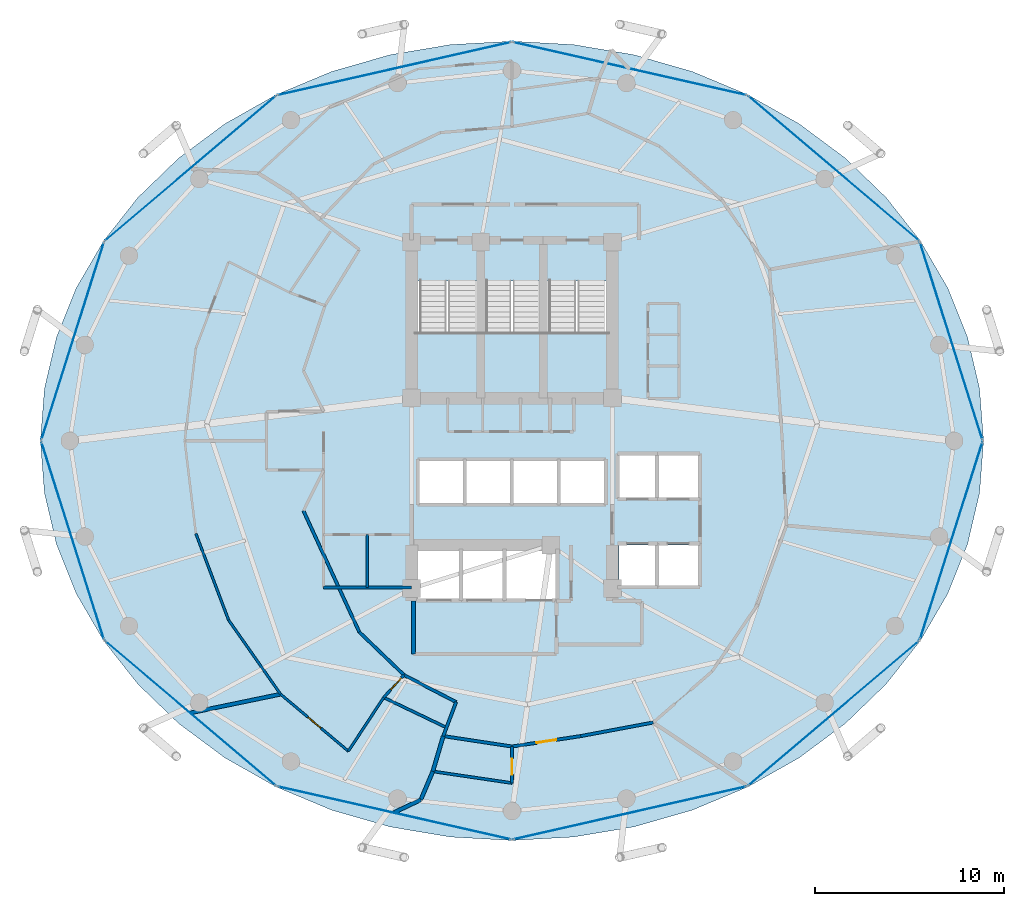
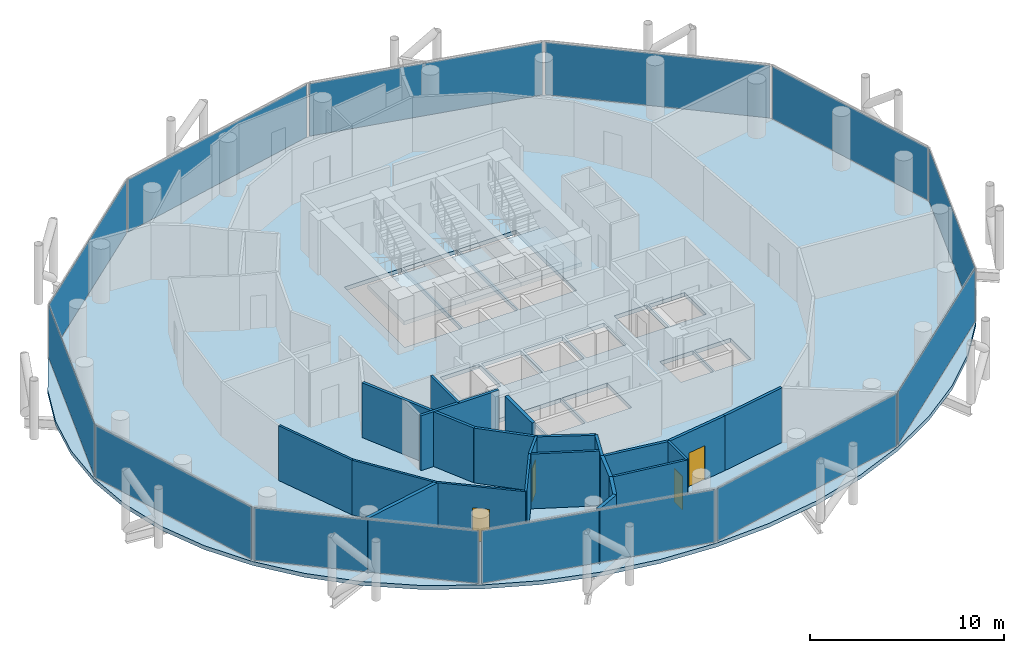
# One storey, part 21 of 26: 22 walls, 12 plates, 4 doors, 4 slabs, 4 openings, 15 elements without a shape of their own.
"""IFC4 building model written with IfcOpenShell, lengths in metres."""

from ifc_helpers import new_model, si_unit, direction, frame, frame_2d, origin, origin_2d, place, context, subcontext, project, spatial, polyline, rectangle, outline, extrude, material, layer, layer_set, type_object, element, fill, aggregate, save


model = new_model("IFC4")

# Units and contexts
model_context = context("Model", 3, precision=1e-05, world=origin(), true_north=direction((0.0, 1.0)))
body_context = subcontext(model_context, "Body", "Model", "MODEL_VIEW")
ifc_project = project(units=[si_unit("LENGTHUNIT", "METRE"), si_unit("AREAUNIT", "SQUARE_METRE"), si_unit("VOLUMEUNIT", "CUBIC_METRE"), si_unit("PLANEANGLEUNIT", "RADIAN"), si_unit("MASSUNIT", "GRAM", prefix="KILO")], contexts=[model_context])

# Site, building, storey
site_placement = place(None, origin())
site = spatial("IfcSite", under=ifc_project, at=site_placement, CompositionType="ELEMENT")
building_placement = place(site_placement, origin())
building = spatial("IfcBuilding", under=site, at=building_placement, Name="Nuhasar Tower", CompositionType="ELEMENT")
storey_placement = place(building_placement, frame((0.0, 0.0, 170.050048828125)))
storey = spatial("IfcBuildingStorey", under=building, at=storey_placement, Name="L41", CompositionType="ELEMENT", Elevation=170.050048828125)

# Curtain wall, plate
ifc_material_1 = material(Name="Aluminium 6063-T6", Category="aluminium")
ifc_layer_1 = layer(ifc_material_1, 0.199951171875)
ifc_layer_set_1 = layer_set([ifc_layer_1], Name="Aluminium 6063-T6")
curtain_wall_type = type_object("IfcCurtainWallType", Name="CW-Z2-HTL", PredefinedType="NOTDEFINED", material=ifc_layer_set_1)
curtain_wall_1_placement = place(storey_placement, origin())
curtain_wall_1 = element("IfcCurtainWall", 1, at=curtain_wall_1_placement, inside=storey, type_object=curtain_wall_type, Name="L41 Unitised Curtain Wall 01", PredefinedType="NOTDEFINED")
ifc_material_2 = material(Name="Glass Double Low-E", Category="glass")
ifc_layer_2 = layer(ifc_material_2, 0.028076171875)
ifc_layer_set_2 = layer_set([ifc_layer_2], Name="Glass Double Low-E")
plate_type = type_object("IfcPlateType", Name="CW-PANEL-GLZ", PredefinedType="CURTAIN_PANEL", material=ifc_layer_set_2)
plate_1_placement = place(storey_placement, frame((62.194580078125, 32.06494140625, 0.06982421875), z_axis=(0.0, 0.0, 1.0), x_axis=(-0.301603667577, 0.953433389233, 0.0)))
plate_1 = element("IfcPlate", 2, at=plate_1_placement, type_object=plate_type, Name="CW-Z2 panel 1.1", PredefinedType="CURTAIN_PANEL", context=body_context, shape_type="SweptSolid", body=[
    extrude(rectangle(XDim=10.904296875, YDim=0.028076171875, at=origin_2d()), origin(), (0.0, 0.0, 1.0), 3.31005859375),
])
aggregate(curtain_wall_1, [plate_1])

curtain_wall_2_placement = place(storey_placement, origin())
curtain_wall_2 = element("IfcCurtainWall", 3, at=curtain_wall_2_placement, inside=storey, type_object=curtain_wall_type, Name="L41 Unitised Curtain Wall 02", PredefinedType="NOTDEFINED")
plate_2_placement = place(storey_placement, frame((55.9794921875, 41.18408203125, 0.06982421875), z_axis=(0.0, 0.0, 1.0), x_axis=(-0.763020370292, 0.646374438324, 0.0)))
plate_2 = element("IfcPlate", 4, at=plate_2_placement, type_object=plate_type, Name="CW-Z2 panel 1.1", PredefinedType="CURTAIN_PANEL", context=body_context, shape_type="SweptSolid", body=[
    extrude(rectangle(XDim=11.784912109375, YDim=0.028076171875, at=origin_2d()), origin(), (0.0, 0.0, 1.0), 3.31005859375),
])
aggregate(curtain_wall_2, [plate_2])

curtain_wall_3_placement = place(storey_placement, origin())
curtain_wall_3 = element("IfcCurtainWall", 5, at=curtain_wall_3_placement, inside=storey, type_object=curtain_wall_type, Name="L41 Unitised Curtain Wall 03", PredefinedType="NOTDEFINED")
plate_3_placement = place(storey_placement, frame((45.215087890625, 46.448974609375, 0.06982421875), z_axis=(0.0, 0.0, 1.0), x_axis=(-0.975183694221, 0.22139729566, 0.0)))
plate_3 = element("IfcPlate", 6, at=plate_3_placement, type_object=plate_type, Name="CW-Z2 panel 1.1", PredefinedType="CURTAIN_PANEL", context=body_context, shape_type="SweptSolid", body=[
    extrude(rectangle(XDim=12.606201171875, YDim=0.028076171875, at=origin_2d()), origin(), (0.0, 0.0, 1.0), 3.31005859375),
])
aggregate(curtain_wall_3, [plate_3])

curtain_wall_4_placement = place(storey_placement, origin())
curtain_wall_4 = element("IfcCurtainWall", 7, at=curtain_wall_4_placement, inside=storey, type_object=curtain_wall_type, Name="L41 Unitised Curtain Wall 04", PredefinedType="NOTDEFINED")
plate_4_placement = place(storey_placement, frame((32.784912109375, 46.448974609375, 0.06982421875), z_axis=(0.0, 0.0, 1.0), x_axis=(-0.975183694221, -0.22139729566, 0.0)))
plate_4 = element("IfcPlate", 8, at=plate_4_placement, type_object=plate_type, Name="CW-Z2 panel 1.1", PredefinedType="CURTAIN_PANEL", context=body_context, shape_type="SweptSolid", body=[
    extrude(rectangle(XDim=12.606201171875, YDim=0.028076171875, at=origin_2d()), origin(), (0.0, 0.0, 1.0), 3.31005859375),
])
aggregate(curtain_wall_4, [plate_4])

curtain_wall_5_placement = place(storey_placement, origin())
curtain_wall_5 = element("IfcCurtainWall", 9, at=curtain_wall_5_placement, inside=storey, type_object=curtain_wall_type, Name="L41 Unitised Curtain Wall 05", PredefinedType="NOTDEFINED")
plate_5_placement = place(storey_placement, frame((22.0205078125, 41.18408203125, 0.06982421875), z_axis=(0.0, 0.0, 1.0), x_axis=(-0.763020370292, -0.646374438324, 0.0)))
plate_5 = element("IfcPlate", 10, at=plate_5_placement, type_object=plate_type, Name="CW-Z2 panel 1.1", PredefinedType="CURTAIN_PANEL", context=body_context, shape_type="SweptSolid", body=[
    extrude(rectangle(XDim=11.784912109375, YDim=0.028076171875, at=origin_2d()), origin(), (0.0, 0.0, 1.0), 3.31005859375),
])
aggregate(curtain_wall_5, [plate_5])

curtain_wall_6_placement = place(storey_placement, origin())
curtain_wall_6 = element("IfcCurtainWall", 11, at=curtain_wall_6_placement, inside=storey, type_object=curtain_wall_type, Name="L41 Unitised Curtain Wall 06", PredefinedType="NOTDEFINED")
plate_6_placement = place(storey_placement, frame((15.805419921875, 32.06494140625, 0.06982421875), z_axis=(0.0, 0.0, 1.0), x_axis=(-0.301603667577, -0.953433389233, 0.0)))
plate_6 = element("IfcPlate", 12, at=plate_6_placement, type_object=plate_type, Name="CW-Z2 panel 1.1", PredefinedType="CURTAIN_PANEL", context=body_context, shape_type="SweptSolid", body=[
    extrude(rectangle(XDim=10.904296875, YDim=0.028076171875, at=origin_2d()), origin(), (0.0, 0.0, 1.0), 3.31005859375),
])
aggregate(curtain_wall_6, [plate_6])

curtain_wall_7_placement = place(storey_placement, origin())
curtain_wall_7 = element("IfcCurtainWall", 13, at=curtain_wall_7_placement, inside=storey, type_object=curtain_wall_type, Name="L41 Unitised Curtain Wall 07", PredefinedType="NOTDEFINED")
plate_7_placement = place(storey_placement, frame((15.805419921875, 21.534912109375, 0.06982421875), z_axis=(0.0, 0.0, 1.0), x_axis=(0.301603667577, -0.953433389233, 0.0)))
plate_7 = element("IfcPlate", 14, at=plate_7_placement, type_object=plate_type, Name="CW-Z2 panel 1.1", PredefinedType="CURTAIN_PANEL", context=body_context, shape_type="SweptSolid", body=[
    extrude(rectangle(XDim=10.904296875, YDim=0.028076171875, at=origin_2d()), origin(), (0.0, 0.0, 1.0), 3.31005859375),
])
aggregate(curtain_wall_7, [plate_7])

curtain_wall_8_placement = place(storey_placement, origin())
curtain_wall_8 = element("IfcCurtainWall", 15, at=curtain_wall_8_placement, inside=storey, type_object=curtain_wall_type, Name="L41 Unitised Curtain Wall 08", PredefinedType="NOTDEFINED")
plate_8_placement = place(storey_placement, frame((22.0205078125, 12.416015625, 0.06982421875), z_axis=(0.0, 0.0, 1.0), x_axis=(0.763020370292, -0.646374438324, 0.0)))
plate_8 = element("IfcPlate", 16, at=plate_8_placement, type_object=plate_type, Name="CW-Z2 panel 1.1", PredefinedType="CURTAIN_PANEL", context=body_context, shape_type="SweptSolid", body=[
    extrude(rectangle(XDim=11.784912109375, YDim=0.028076171875, at=origin_2d()), origin(), (0.0, 0.0, 1.0), 3.31005859375),
])
aggregate(curtain_wall_8, [plate_8])

curtain_wall_9_placement = place(storey_placement, origin())
curtain_wall_9 = element("IfcCurtainWall", 17, at=curtain_wall_9_placement, inside=storey, type_object=curtain_wall_type, Name="L41 Unitised Curtain Wall 09", PredefinedType="NOTDEFINED")
plate_9_placement = place(storey_placement, frame((32.784912109375, 7.15087890625, 0.06982421875), z_axis=(0.0, 0.0, 1.0), x_axis=(0.975183694221, -0.22139729566, 0.0)))
plate_9 = element("IfcPlate", 18, at=plate_9_placement, type_object=plate_type, Name="CW-Z2 panel 1.1", PredefinedType="CURTAIN_PANEL", context=body_context, shape_type="SweptSolid", body=[
    extrude(rectangle(XDim=12.606201171875, YDim=0.028076171875, at=origin_2d()), origin(), (0.0, 0.0, 1.0), 3.31005859375),
])
aggregate(curtain_wall_9, [plate_9])

curtain_wall_10_placement = place(storey_placement, origin())
curtain_wall_10 = element("IfcCurtainWall", 19, at=curtain_wall_10_placement, inside=storey, type_object=curtain_wall_type, Name="L41 Unitised Curtain Wall 10", PredefinedType="NOTDEFINED")
plate_10_placement = place(storey_placement, frame((45.215087890625, 7.15087890625, 0.06982421875), z_axis=(0.0, 0.0, 1.0), x_axis=(0.975183694221, 0.22139729566, 0.0)))
plate_10 = element("IfcPlate", 20, at=plate_10_placement, type_object=plate_type, Name="CW-Z2 panel 1.1", PredefinedType="CURTAIN_PANEL", context=body_context, shape_type="SweptSolid", body=[
    extrude(rectangle(XDim=12.606201171875, YDim=0.028076171875, at=origin_2d()), origin(), (0.0, 0.0, 1.0), 3.31005859375),
])
aggregate(curtain_wall_10, [plate_10])

curtain_wall_11_placement = place(storey_placement, origin())
curtain_wall_11 = element("IfcCurtainWall", 21, at=curtain_wall_11_placement, inside=storey, type_object=curtain_wall_type, Name="L41 Unitised Curtain Wall 11", PredefinedType="NOTDEFINED")
plate_11_placement = place(storey_placement, frame((55.9794921875, 12.416015625, 0.06982421875), z_axis=(0.0, 0.0, 1.0), x_axis=(0.763020370292, 0.646374438324, 0.0)))
plate_11 = element("IfcPlate", 22, at=plate_11_placement, type_object=plate_type, Name="CW-Z2 panel 1.1", PredefinedType="CURTAIN_PANEL", context=body_context, shape_type="SweptSolid", body=[
    extrude(rectangle(XDim=11.784912109375, YDim=0.028076171875, at=origin_2d()), origin(), (0.0, 0.0, 1.0), 3.31005859375),
])
aggregate(curtain_wall_11, [plate_11])

curtain_wall_12_placement = place(storey_placement, origin())
curtain_wall_12 = element("IfcCurtainWall", 23, at=curtain_wall_12_placement, inside=storey, type_object=curtain_wall_type, Name="L41 Unitised Curtain Wall 12", PredefinedType="NOTDEFINED")
plate_12_placement = place(storey_placement, frame((62.194580078125, 21.534912109375, 0.06982421875), z_axis=(0.0, 0.0, 1.0), x_axis=(0.301603667577, 0.953433389233, 0.0)))
plate_12 = element("IfcPlate", 24, at=plate_12_placement, type_object=plate_type, Name="CW-Z2 panel 1.1", PredefinedType="CURTAIN_PANEL", context=body_context, shape_type="SweptSolid", body=[
    extrude(rectangle(XDim=10.904296875, YDim=0.028076171875, at=origin_2d()), origin(), (0.0, 0.0, 1.0), 3.31005859375),
])
aggregate(curtain_wall_12, [plate_12])

# Stair, slab
ifc_material_3 = material(Name="Concrete C45/55", Category="concrete")
stair_type_1 = type_object("IfcStairType", Name="STR-ST-01-2F-22R-1682", PredefinedType="HALF_TURN_STAIR", material=ifc_material_3)
stair_1_placement = place(storey_placement, origin())
stair_1 = element("IfcStair", 25, at=stair_1_placement, inside=storey, type_object=stair_type_1, Name="L41 Exit Stair ST-01", PredefinedType="HALF_TURN_STAIR")
ifc_layer_3 = layer(ifc_material_3, 0.239990234375)
ifc_layer_set_3 = layer_set([ifc_layer_3], Name="Concrete C45/55")
slab_type_1 = type_object("IfcSlabType", Name="SLB-STAIR-LND-240", PredefinedType="LANDING", material=ifc_layer_set_3)
slab_1_placement = place(storey_placement, frame((0.0, 0.0, 1.60986328125)))
slab_1 = element("IfcSlab", 26, at=slab_1_placement, type_object=slab_type_1, Name="ST-01 landing 1", PredefinedType="LANDING", context=body_context, shape_type="SweptSolid", body=[
    extrude(outline(polyline([(33.699951171875, 28.75), (37.35009765625, 28.75), (37.35009765625, 32.52001953125), (33.699951171875, 32.52001953125), (33.699951171875, 28.75)])), origin(), (0.0, 0.0, 1.0), 0.239990234375),
])
aggregate(stair_1, [slab_1])

stair_type_2 = type_object("IfcStairType", Name="STR-ST-03-2F-22R-1682", PredefinedType="HALF_TURN_STAIR", material=ifc_material_3)
stair_2_placement = place(storey_placement, origin())
stair_2 = element("IfcStair", 27, at=stair_2_placement, inside=storey, type_object=stair_type_2, Name="L41 Exit Stair ST-03", PredefinedType="HALF_TURN_STAIR")
slab_2_placement = place(storey_placement, frame((0.0, 0.0, 1.60986328125)))
slab_2 = element("IfcSlab", 28, at=slab_2_placement, type_object=slab_type_1, Name="ST-03 landing 1", PredefinedType="LANDING", context=body_context, shape_type="SweptSolid", body=[
    extrude(outline(polyline([(37.35009765625, 28.75), (40.64990234375, 28.75), (40.64990234375, 32.52001953125), (37.35009765625, 32.52001953125), (37.35009765625, 28.75)])), origin(), (0.0, 0.0, 1.0), 0.239990234375),
])
aggregate(stair_2, [slab_2])

stair_type_3 = type_object("IfcStairType", Name="STR-ST-02-2F-22R-1682", PredefinedType="HALF_TURN_STAIR", material=ifc_material_3)
stair_3_placement = place(storey_placement, origin())
stair_3 = element("IfcStair", 29, at=stair_3_placement, inside=storey, type_object=stair_type_3, Name="L41 Exit Stair ST-02", PredefinedType="HALF_TURN_STAIR")
slab_3_placement = place(storey_placement, frame((0.0, 0.0, 1.60986328125)))
slab_3 = element("IfcSlab", 30, at=slab_3_placement, type_object=slab_type_1, Name="ST-02 landing 1", PredefinedType="LANDING", context=body_context, shape_type="SweptSolid", body=[
    extrude(outline(polyline([(40.64990234375, 28.75), (44.300048828125, 28.75), (44.300048828125, 32.52001953125), (40.64990234375, 32.52001953125), (40.64990234375, 28.75)])), origin(), (0.0, 0.0, 1.0), 0.239990234375),
])
aggregate(stair_3, [slab_3])

# Slab
ifc_layer_4 = layer(ifc_material_3, 0.25)
ifc_layer_set_4 = layer_set([ifc_layer_4], Name="Concrete C45/55")
slab_type_2 = type_object("IfcSlabType", Name="SLB-Z1B-250", PredefinedType="FLOOR", material=ifc_layer_set_4)
slab_4_placement = place(storey_placement, frame((0.0, 0.0, -0.25)))
element("IfcSlab", 31, at=slab_4_placement, inside=storey, type_object=slab_type_2, Name="L41 Structural Slab", PredefinedType="FLOOR", context=body_context, shape_type="SweptSolid", body=[
    extrude(outline(polyline([(63.89990234375, 26.800048828125), (63.68701171875, 29.553955078125), (63.052001953125, 32.260986328125), (62.0048828125, 34.875), (60.56396484375, 37.35009765625), (58.75390625, 39.64501953125), (56.60693359375, 41.719970703125), (54.157958984375, 43.5400390625), (51.449951171875, 45.072998046875), (48.529052734375, 46.2939453125), (45.445068359375, 47.180908203125), (42.25, 47.718994140625), (39.0, 47.89990234375), (35.75, 47.718994140625), (32.554931640625, 47.180908203125), (29.470947265625, 46.2939453125), (26.550048828125, 45.072998046875), (23.842041015625, 43.5400390625), (21.39306640625, 41.719970703125), (19.24609375, 39.64501953125), (17.43603515625, 37.35009765625), (15.9951171875, 34.875), (14.947998046875, 32.260986328125), (14.31298828125, 29.553955078125), (14.10009765625, 26.800048828125), (14.31298828125, 24.0458984375), (14.947998046875, 21.339111328125), (15.9951171875, 18.72509765625), (17.43603515625, 16.25), (19.24609375, 13.955078125), (21.39306640625, 11.8798828125), (23.842041015625, 10.06005859375), (26.550048828125, 8.527099609375), (29.470947265625, 7.305908203125), (32.554931640625, 6.4189453125), (35.75, 5.881103515625), (39.0, 5.699951171875), (42.25, 5.881103515625), (45.445068359375, 6.4189453125), (48.529052734375, 7.305908203125), (51.449951171875, 8.527099609375), (54.157958984375, 10.06005859375), (56.60693359375, 11.8798828125), (58.75390625, 13.955078125), (60.56396484375, 16.25), (62.0048828125, 18.72509765625), (63.052001953125, 21.339111328125), (63.68701171875, 24.0458984375), (63.89990234375, 26.800048828125)]), holes=[polyline([(33.8798828125, 35.25), (37.300048828125, 35.25), (37.300048828125, 29.0), (33.8798828125, 29.0), (33.8798828125, 35.25)]), polyline([(37.39990234375, 35.25), (40.60009765625, 35.25), (40.60009765625, 29.0), (37.39990234375, 29.0), (37.39990234375, 35.25)]), polyline([(40.699951171875, 35.25), (44.1201171875, 35.25), (44.1201171875, 29.0), (40.699951171875, 29.0), (40.699951171875, 35.25)]), polyline([(44.64990234375, 26.050048828125), (46.60009765625, 26.050048828125), (46.60009765625, 23.800048828125), (44.64990234375, 23.800048828125), (44.64990234375, 26.050048828125)]), polyline([(46.699951171875, 26.050048828125), (48.85009765625, 26.050048828125), (48.85009765625, 23.800048828125), (46.699951171875, 23.800048828125), (46.699951171875, 26.050048828125)]), polyline([(44.64990234375, 21.300048828125), (46.60009765625, 21.300048828125), (46.60009765625, 19.14990234375), (44.64990234375, 19.14990234375), (44.64990234375, 21.300048828125)]), polyline([(46.699951171875, 21.300048828125), (48.85009765625, 21.300048828125), (48.85009765625, 19.14990234375), (46.699951171875, 19.14990234375), (46.699951171875, 21.300048828125)]), polyline([(34.10009765625, 25.75), (36.43994140625, 25.75), (36.43994140625, 23.5), (34.10009765625, 23.5), (34.10009765625, 25.75)]), polyline([(36.580078125, 25.75), (38.919921875, 25.75), (38.919921875, 23.5), (36.580078125, 23.5), (36.580078125, 25.75)]), polyline([(39.06005859375, 25.75), (41.39990234375, 25.75), (41.39990234375, 23.5), (39.06005859375, 23.5), (39.06005859375, 25.75)]), polyline([(41.5400390625, 25.75), (43.8798828125, 25.75), (43.8798828125, 23.5), (41.5400390625, 23.5), (41.5400390625, 25.75)]), polyline([(34.050048828125, 21.0), (36.25, 21.0), (36.25, 18.449951171875), (34.050048828125, 18.449951171875), (34.050048828125, 21.0)]), polyline([(36.35009765625, 21.0), (38.550048828125, 21.0), (38.550048828125, 18.449951171875), (36.35009765625, 18.449951171875), (36.35009765625, 21.0)]), polyline([(38.64990234375, 21.0), (41.320068359375, 21.0), (41.320068359375, 18.449951171875), (38.64990234375, 18.449951171875), (38.64990234375, 21.0)])]), origin(), (0.0, 0.0, 1.0), 0.25),
])

# Walls
ifc_material_4 = material(Name="Gypsum Board", Category="gypsum")
ifc_layer_5 = layer(ifc_material_4, 0.159912109375)
ifc_layer_set_5 = layer_set([ifc_layer_5], Name="Gypsum Board")
wall_type_1 = type_object("IfcWallType", Name="WL-CORR-160", PredefinedType="PARTITIONING", material=ifc_layer_set_5)
wall_1_placement = place(storey_placement, frame((29.050048828125, 19.050048828125, 0.0), z_axis=(0.0, 0.0, 1.0), x_axis=(1.0, 0.0, 0.0)))
element("IfcWall", 32, at=wall_1_placement, inside=storey, type_object=wall_type_1, Name="L41 Interior Partition RECL-B1-S", PredefinedType="PARTITIONING", context=body_context, shape_type="SweptSolid", body=[
    extrude(rectangle(XDim=4.64990234375, YDim=0.159912109375, at=frame_2d((2.324951171875, 0.0))), origin(), (0.0, 0.0, 1.0), 3.449951171875),
])
wall_2_placement = place(storey_placement, frame((35.37109375, 11.2099609375, 0.0), z_axis=(0.0, 0.0, 1.0), x_axis=(0.988706844632, -0.149862521593, 0.0)))
element("IfcWall", 33, at=wall_2_placement, inside=storey, type_object=wall_type_1, Name="L41 Interior Partition CORR-34", PredefinedType="PARTITIONING", context=body_context, shape_type="SweptSolid", body=[
    extrude(rectangle(XDim=3.67041015625, YDim=0.159912109375, at=frame_2d((1.835205078125, 0.0))), origin(), (0.0, 0.0, 1.0), 3.449951171875),
])

# Wall, opening, door
wall_3_placement = place(storey_placement, frame((42.62890625, 11.2099609375, 0.0), z_axis=(0.0, 0.0, 1.0), x_axis=(-0.988706844632, -0.149862521593, 0.0)))
wall_3 = element("IfcWall", 34, at=wall_3_placement, inside=storey, type_object=wall_type_1, Name="L41 Interior Partition CORR-36", PredefinedType="PARTITIONING", context=body_context, shape_type="SweptSolid", body=[
    extrude(rectangle(XDim=3.67041015625, YDim=0.159912109375, at=frame_2d((1.835205078125, 0.0))), origin(), (0.0, 0.0, 1.0), 3.449951171875),
])
opening_1_placement = place(wall_3_placement, frame((1.31005859375, 0.0, 0.0)))
opening_1 = element("IfcOpeningElement", 35, at=opening_1_placement, cuts=wall_3, Name="Opening DU-01", PredefinedType="OPENING", context=body_context, shape_type="SweptSolid", body=[
    extrude(rectangle(XDim=1.050048828125, YDim=2.14990234375, at=frame_2d((0.52490234375, 1.074951171875))), frame((0.0, 0.08984375, 0.0), z_axis=(0.0, -1.0, 0.0), x_axis=(1.0, 0.0, 0.0)), (0.0, 0.0, 1.0), 0.179931640625),
])
ifc_material_5 = material(Name="Timber Oak", Category="wood")
door_type_1 = type_object("IfcDoorType", Name="DR-SUITE-FD60-1050", OperationType="NOTDEFINED", PredefinedType="DOOR", material=ifc_material_5)
door_1_placement = place(opening_1_placement, origin())
door_1 = element("IfcDoor", 36, at=door_1_placement, inside=storey, type_object=door_type_1, Name="L41 Ambassador Junior Suite 01 Entrance Door", OperationType="SINGLE_SWING_LEFT", OverallHeight=2.14990234375, OverallWidth=1.050048828125, PredefinedType="DOOR", context=body_context, shape_type="SweptSolid", body=[
    extrude(rectangle(XDim=1.050048828125, YDim=2.14990234375, at=frame_2d((0.52490234375, 1.074951171875))), frame((0.0, 0.02490234375, 0.0), z_axis=(0.0, -1.0, 0.0), x_axis=(1.0, 0.0, 0.0)), (0.0, 0.0, 1.0), 0.050048828125),
])
fill(opening_1, door_1)

# Walls
wall_4_placement = place(storey_placement, frame((42.62890625, 11.2099609375, 0.0), z_axis=(0.0, 0.0, 1.0), x_axis=(0.982869349067, 0.184303669702, 0.0)))
element("IfcWall", 37, at=wall_4_placement, inside=storey, type_object=wall_type_1, Name="L41 Interior Partition CORR-38", PredefinedType="PARTITIONING", context=body_context, shape_type="SweptSolid", body=[
    extrude(rectangle(XDim=3.895751953125, YDim=0.159912109375, at=frame_2d((1.94775390625, 0.0))), origin(), (0.0, 0.0, 1.0), 3.449951171875),
])
wall_5_placement = place(storey_placement, frame((36.049072265625, 13.007080078125, 0.0), z_axis=(0.0, 0.0, 1.0), x_axis=(-0.352975378349, -0.93563261074, 0.0)))
element("IfcWall", 38, at=wall_5_placement, inside=storey, type_object=wall_type_1, Name="L41 Interior Partition HRAD-34-IN", PredefinedType="PARTITIONING", context=body_context, shape_type="SweptSolid", body=[
    extrude(rectangle(XDim=1.920654296875, YDim=0.159912109375, at=frame_2d((0.96044921875, 0.0))), origin(), (0.0, 0.0, 1.0), 3.449951171875),
])
wall_6_placement = place(storey_placement, frame((27.988037109375, 23.10400390625, 0.0), z_axis=(0.0, 0.0, 1.0), x_axis=(0.418656179426, -0.908144814128, 0.0)))
element("IfcWall", 39, at=wall_6_placement, inside=storey, type_object=wall_type_1, Name="L41 Interior Partition HWEST-CORE-S1-26", PredefinedType="PARTITIONING", context=body_context, shape_type="SweptSolid", body=[
    extrude(rectangle(XDim=7.048583984375, YDim=0.159912109375, at=frame_2d((3.5244140625, 0.0))), origin(), (0.0, 0.0, 1.0), 3.449951171875),
])
wall_7_placement = place(storey_placement, frame((30.93896484375, 16.702880859375, 0.0), z_axis=(0.0, 0.0, 1.0), x_axis=(0.72090897908, -0.693029756851, 0.0)))
element("IfcWall", 40, at=wall_7_placement, inside=storey, type_object=wall_type_1, Name="L41 Interior Partition HWEST-CORE-S2-30", PredefinedType="PARTITIONING", context=body_context, shape_type="SweptSolid", body=[
    extrude(rectangle(XDim=3.275146484375, YDim=0.159912109375, at=frame_2d((1.6376953125, 0.0))), origin(), (0.0, 0.0, 1.0), 3.449951171875),
])
wall_8_placement = place(storey_placement, frame((33.300048828125, 14.43310546875, 0.0), z_axis=(0.0, 0.0, 1.0), x_axis=(0.887674575788, -0.460471331898, 0.0)))
element("IfcWall", 41, at=wall_8_placement, inside=storey, type_object=wall_type_1, Name="L41 Interior Partition HWEST-CORE-S2-32", PredefinedType="PARTITIONING", context=body_context, shape_type="SweptSolid", body=[
    extrude(rectangle(XDim=3.096923828125, YDim=0.159912109375, at=frame_2d((1.54833984375, 0.0))), origin(), (0.0, 0.0, 1.0), 3.449951171875),
])
ifc_layer_6 = layer(ifc_material_3, 0.199951171875)
ifc_layer_set_6 = layer_set([ifc_layer_6], Name="Concrete C45/55")
wall_type_2 = type_object("IfcWallType", Name="WL-LOBBY-200", PredefinedType="SOLIDWALL", material=ifc_layer_set_6)
wall_9_placement = place(storey_placement, frame((33.800048828125, 15.550048828125, 0.0), z_axis=(0.0, 0.0, 1.0), x_axis=(0.0, 1.0, 0.0)))
element("IfcWall", 42, at=wall_9_placement, inside=storey, type_object=wall_type_2, Name="L41 Interior Partition FFL-W", PredefinedType="SOLIDWALL", context=body_context, shape_type="SweptSolid", body=[
    extrude(rectangle(XDim=2.800048828125, YDim=0.199951171875, at=frame_2d((1.39990234375, 0.0))), origin(), (0.0, 0.0, 1.0), 3.449951171875),
])
ifc_layer_7 = layer(ifc_material_4, 0.125)
ifc_layer_set_7 = layer_set([ifc_layer_7], Name="Gypsum Board")
wall_type_3 = type_object("IfcWallType", Name="WL-PART-125", PredefinedType="PARTITIONING", material=ifc_layer_set_7)
wall_10_placement = place(storey_placement, frame((31.35009765625, 19.050048828125, 0.0), z_axis=(0.0, 0.0, 1.0), x_axis=(0.0, 1.0, 0.0)))
element("IfcWall", 43, at=wall_10_placement, inside=storey, type_object=wall_type_3, Name="L41 Interior Partition HKPK1-V", PredefinedType="PARTITIONING", context=body_context, shape_type="SweptSolid", body=[
    extrude(rectangle(XDim=2.800048828125, YDim=0.125, at=frame_2d((1.39990234375, 0.0))), origin(), (0.0, 0.0, 1.0), 3.449951171875),
])
wall_11_placement = place(storey_placement, frame((32.22509765625, 13.2470703125, 0.0), z_axis=(0.0, 0.0, 1.0), x_axis=(-0.54998934466, -0.835171671431, 0.0)))
element("IfcWall", 44, at=wall_11_placement, inside=storey, type_object=wall_type_3, Name="L41 Interior Partition HWS2-N", PredefinedType="PARTITIONING", context=body_context, shape_type="SweptSolid", body=[
    extrude(rectangle(XDim=3.390869140625, YDim=0.125, at=frame_2d((1.6953125, 0.0))), origin(), (0.0, 0.0, 1.0), 3.449951171875),
])
wall_12_placement = place(storey_placement, frame((22.30908203125, 21.903076171875, 0.0), z_axis=(0.0, 0.0, 1.0), x_axis=(0.353765495648, -0.935334151033, 0.0)))
element("IfcWall", 45, at=wall_12_placement, inside=storey, type_object=wall_type_3, Name="L41 Interior Partition HWS2-ARC-26", PredefinedType="PARTITIONING", context=body_context, shape_type="SweptSolid", body=[
    extrude(rectangle(XDim=4.87841796875, YDim=0.125, at=frame_2d((2.439208984375, 0.0))), origin(), (0.0, 0.0, 1.0), 3.449951171875),
])
wall_13_placement = place(storey_placement, frame((24.034912109375, 17.340087890625, 0.0), z_axis=(0.0, 0.0, 1.0), x_axis=(0.573955390482, -0.818886567075, 0.0)))
element("IfcWall", 46, at=wall_13_placement, inside=storey, type_object=wall_type_3, Name="L41 Interior Partition HWS2-ARC-28", PredefinedType="PARTITIONING", context=body_context, shape_type="SweptSolid", body=[
    extrude(rectangle(XDim=4.784423828125, YDim=0.125, at=frame_2d((2.39208984375, 0.0))), origin(), (0.0, 0.0, 1.0), 3.449951171875),
])

# Wall, opening, door
wall_14_placement = place(storey_placement, frame((26.781005859375, 13.422119140625, 0.0), z_axis=(0.0, 0.0, 1.0), x_axis=(0.765637985473, -0.643271696253, 0.0)))
wall_14 = element("IfcWall", 47, at=wall_14_placement, inside=storey, type_object=wall_type_3, Name="L41 Interior Partition HWS2-ARC-30", PredefinedType="PARTITIONING", context=body_context, shape_type="SweptSolid", body=[
    extrude(rectangle(XDim=4.674560546875, YDim=0.125, at=frame_2d((2.33740234375, 0.0))), origin(), (0.0, 0.0, 1.0), 3.449951171875),
])
opening_2_placement = place(wall_14_placement, frame((1.886962890625, 0.0, 0.0)))
opening_2 = element("IfcOpeningElement", 48, at=opening_2_placement, cuts=wall_14, Name="Opening DR-01", PredefinedType="OPENING", context=body_context, shape_type="SweptSolid", body=[
    extrude(rectangle(XDim=0.89990234375, YDim=2.10009765625, at=frame_2d((0.449951171875, 1.050048828125))), frame((0.0, 0.072509765625, 0.0), z_axis=(0.0, -1.0, 0.0), x_axis=(1.0, 0.0, 0.0)), (0.0, 0.0, 1.0), 0.14501953125),
])
door_type_2 = type_object("IfcDoorType", Name="DR-ROOM-900", OperationType="NOTDEFINED", PredefinedType="DOOR", material=ifc_material_5)
door_2_placement = place(opening_2_placement, origin())
door_2 = element("IfcDoor", 49, at=door_2_placement, inside=storey, type_object=door_type_2, Name="L41 South-West Presidential Suite Bedroom Door", OperationType="SINGLE_SWING_LEFT", OverallHeight=2.10009765625, OverallWidth=0.89990234375, PredefinedType="DOOR", context=body_context, shape_type="SweptSolid", body=[
    extrude(rectangle(XDim=0.89990234375, YDim=2.10009765625, at=frame_2d((0.449951171875, 1.050048828125))), frame((0.0, 0.02490234375, 0.0), z_axis=(0.0, -1.0, 0.0), x_axis=(1.0, 0.0, 0.0)), (0.0, 0.0, 1.0), 0.050048828125),
])
fill(opening_2, door_2)

# Walls
ifc_material_6 = material(Name="Concrete C40/50 precast", Category="concrete")
ifc_layer_8 = layer(ifc_material_6, 0.199951171875)
ifc_layer_set_8 = layer_set([ifc_layer_8], Name="Concrete C40/50 precast")
wall_type_4 = type_object("IfcWallType", Name="WL-UNIT-200", PredefinedType="PARTITIONING", material=ifc_layer_set_8)
wall_15_placement = place(storey_placement, frame((35.37109375, 11.2099609375, 0.0), z_axis=(0.0, 0.0, 1.0), x_axis=(-0.283485285535, -0.958976586203, 0.0)))
element("IfcWall", 50, at=wall_15_placement, inside=storey, type_object=wall_type_4, Name="L41 Interior Partition HRAD-34-OUT-S1", PredefinedType="PARTITIONING", context=body_context, shape_type="SweptSolid", body=[
    extrude(rectangle(XDim=1.94384765625, YDim=0.199951171875, at=frame_2d((0.971923828125, 0.0))), origin(), (0.0, 0.0, 1.0), 3.449951171875),
])
wall_16_placement = place(storey_placement, frame((34.820068359375, 9.345947265625, 0.0), z_axis=(0.0, 0.0, 1.0), x_axis=(-0.39003681134, -0.920799264661, 0.0)))
element("IfcWall", 51, at=wall_16_placement, inside=storey, type_object=wall_type_4, Name="L41 Interior Partition HRAD-34-OUT-S2", PredefinedType="PARTITIONING", context=body_context, shape_type="SweptSolid", body=[
    extrude(rectangle(XDim=1.62548828125, YDim=0.199951171875, at=frame_2d((0.812744140625, 0.0))), origin(), (0.0, 0.0, 1.0), 3.449951171875),
])
wall_17_placement = place(storey_placement, frame((34.18603515625, 7.84912109375, 0.0), z_axis=(0.0, 0.0, 1.0), x_axis=(-0.902321597734, -0.431063492148, 0.0)))
element("IfcWall", 52, at=wall_17_placement, inside=storey, type_object=wall_type_4, Name="L41 Interior Partition HRAD-34-OUT-S3", PredefinedType="PARTITIONING", context=body_context, shape_type="SweptSolid", body=[
    extrude(rectangle(XDim=1.542724609375, YDim=0.199951171875, at=frame_2d((0.771484375, 0.0))), origin(), (0.0, 0.0, 1.0), 3.449951171875),
])
wall_18_placement = place(storey_placement, frame((26.781005859375, 13.422119140625, 0.0), z_axis=(0.0, 0.0, 1.0), x_axis=(-0.979174362296, -0.203021102897, 0.0)))
element("IfcWall", 53, at=wall_18_placement, inside=storey, type_object=wall_type_4, Name="L41 Interior Partition HWEST-DIV-OUT", PredefinedType="PARTITIONING", context=body_context, shape_type="SweptSolid", body=[
    extrude(rectangle(XDim=4.837890625, YDim=0.199951171875, at=frame_2d((2.4189453125, 0.0))), origin(), (0.0, 0.0, 1.0), 3.449951171875),
])

# Wall, opening, door
ifc_layer_9 = layer(ifc_material_6, 0.139892578125)
ifc_layer_set_9 = layer_set([ifc_layer_9], Name="Concrete C40/50 precast")
wall_type_5 = type_object("IfcWallType", Name="WL-WET-140", PredefinedType="PARTITIONING", material=ifc_layer_set_9)
wall_19_placement = place(storey_placement, frame((39.0, 10.659912109375, 0.0), z_axis=(0.0, 0.0, 1.0), x_axis=(0.0, -1.0, 0.0)))
wall_19 = element("IfcWall", 54, at=wall_19_placement, inside=storey, type_object=wall_type_5, Name="L41 Interior Partition HBW-01", PredefinedType="PARTITIONING", context=body_context, shape_type="SweptSolid", body=[
    extrude(rectangle(XDim=1.929931640625, YDim=0.139892578125, at=frame_2d((0.96484375, 0.0))), origin(), (0.0, 0.0, 1.0), 3.449951171875),
])
opening_3_placement = place(wall_19_placement, frame((0.635986328125, 0.0, 0.0)))
opening_3 = element("IfcOpeningElement", 55, at=opening_3_placement, cuts=wall_19, Name="Opening DB-01", PredefinedType="OPENING", context=body_context, shape_type="SweptSolid", body=[
    extrude(rectangle(XDim=0.85009765625, YDim=2.10009765625, at=frame_2d((0.425048828125, 1.050048828125))), frame((0.0, 0.080078125, 0.0), z_axis=(0.0, -1.0, 0.0), x_axis=(1.0, 0.0, 0.0)), (0.0, 0.0, 1.0), 0.159912109375),
])
door_type_3 = type_object("IfcDoorType", Name="DR-BATH-850", OperationType="NOTDEFINED", PredefinedType="DOOR", material=ifc_material_5)
door_3_placement = place(opening_3_placement, origin())
door_3 = element("IfcDoor", 56, at=door_3_placement, inside=storey, type_object=door_type_3, Name="L41 Ambassador Junior Suite 01 En-Suite Door", OperationType="SINGLE_SWING_RIGHT", OverallHeight=2.10009765625, OverallWidth=0.85009765625, PredefinedType="DOOR", context=body_context, shape_type="SweptSolid", body=[
    extrude(rectangle(XDim=0.85009765625, YDim=2.10009765625, at=frame_2d((0.425048828125, 1.050048828125))), frame((0.0, 0.02490234375, 0.0), z_axis=(0.0, -1.0, 0.0), x_axis=(1.0, 0.0, 0.0)), (0.0, 0.0, 1.0), 0.050048828125),
])
fill(opening_3, door_3)

# Wall
wall_20_placement = place(storey_placement, frame((34.820068359375, 9.345947265625, 0.0), z_axis=(0.0, 0.0, 1.0), x_axis=(0.989315790423, -0.145788431706, 0.0)))
element("IfcWall", 57, at=wall_20_placement, inside=storey, type_object=wall_type_5, Name="L41 Interior Partition HBF-01-34", PredefinedType="PARTITIONING", context=body_context, shape_type="SweptSolid", body=[
    extrude(rectangle(XDim=4.22509765625, YDim=0.139892578125, at=frame_2d((2.112548828125, 0.0))), origin(), (0.0, 0.0, 1.0), 3.449951171875),
])

# Wall, opening, door
wall_21_placement = place(storey_placement, frame((33.300048828125, 14.43310546875, 0.0), z_axis=(0.0, 0.0, 1.0), x_axis=(-0.671556062003, -0.740953747266, 0.0)))
wall_21 = element("IfcWall", 58, at=wall_21_placement, inside=storey, type_object=wall_type_5, Name="L41 Interior Partition HBW2-N", PredefinedType="PARTITIONING", context=body_context, shape_type="SweptSolid", body=[
    extrude(rectangle(XDim=1.6005859375, YDim=0.139892578125, at=frame_2d((0.80029296875, 0.0))), origin(), (0.0, 0.0, 1.0), 3.449951171875),
])
opening_4_placement = place(wall_21_placement, frame((0.199951171875, 0.0, 0.0)))
opening_4 = element("IfcOpeningElement", 59, at=opening_4_placement, cuts=wall_21, Name="Opening DB-01", PredefinedType="OPENING", context=body_context, shape_type="SweptSolid", body=[
    extrude(rectangle(XDim=0.85009765625, YDim=2.10009765625, at=frame_2d((0.425048828125, 1.050048828125))), frame((0.0, 0.080078125, 0.0), z_axis=(0.0, -1.0, 0.0), x_axis=(1.0, 0.0, 0.0)), (0.0, 0.0, 1.0), 0.159912109375),
])
door_4_placement = place(opening_4_placement, origin())
door_4 = element("IfcDoor", 60, at=door_4_placement, inside=storey, type_object=door_type_3, Name="L41 South-West Presidential Suite En-Suite Door", OperationType="SINGLE_SWING_LEFT", OverallHeight=2.10009765625, OverallWidth=0.85009765625, PredefinedType="DOOR", context=body_context, shape_type="SweptSolid", body=[
    extrude(rectangle(XDim=0.85009765625, YDim=2.10009765625, at=frame_2d((0.425048828125, 1.050048828125))), frame((0.0, 0.02490234375, 0.0), z_axis=(0.0, -1.0, 0.0), x_axis=(1.0, 0.0, 0.0)), (0.0, 0.0, 1.0), 0.050048828125),
])
fill(opening_4, door_4)

# Wall
wall_22_placement = place(storey_placement, frame((32.22509765625, 13.2470703125, 0.0), z_axis=(0.0, 0.0, 1.0), x_axis=(0.902016722043, -0.431701092372, 0.0)))
element("IfcWall", 61, at=wall_22_placement, inside=storey, type_object=wall_type_5, Name="L41 Interior Partition HBW2-E", PredefinedType="PARTITIONING", context=body_context, shape_type="SweptSolid", body=[
    extrude(rectangle(XDim=3.622802734375, YDim=0.139892578125, at=frame_2d((1.8115234375, 0.0))), origin(), (0.0, 0.0, 1.0), 3.449951171875),
])

save(model, "model.ifc")
